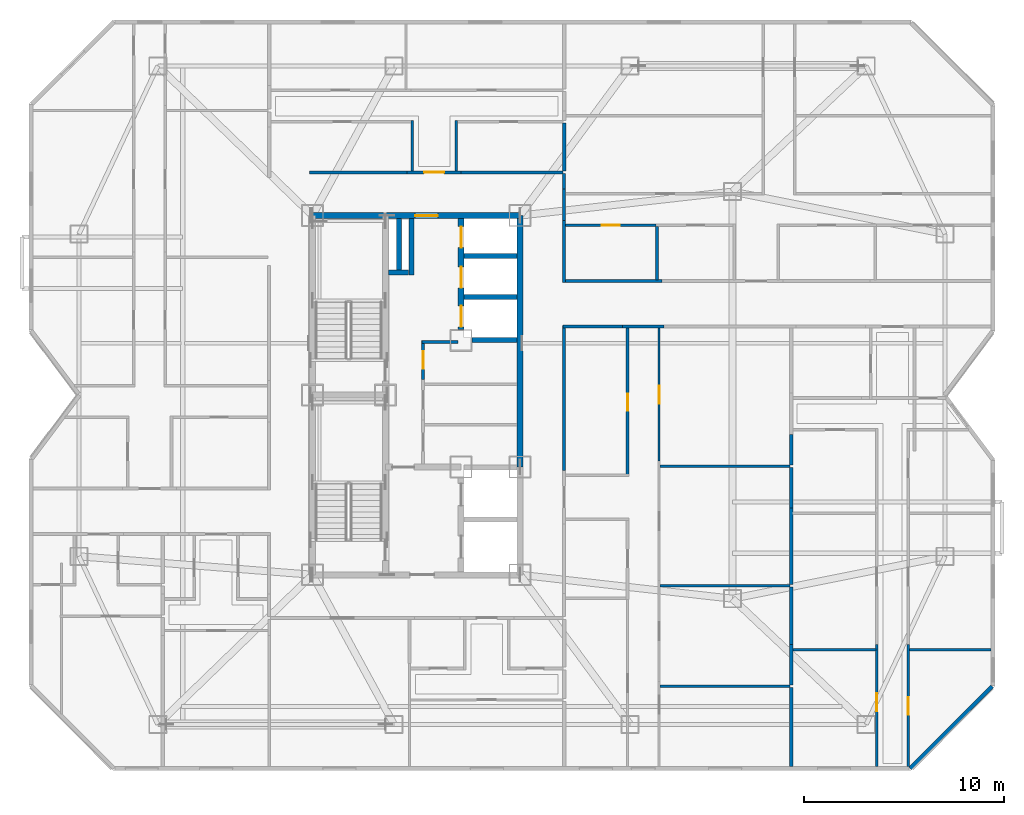
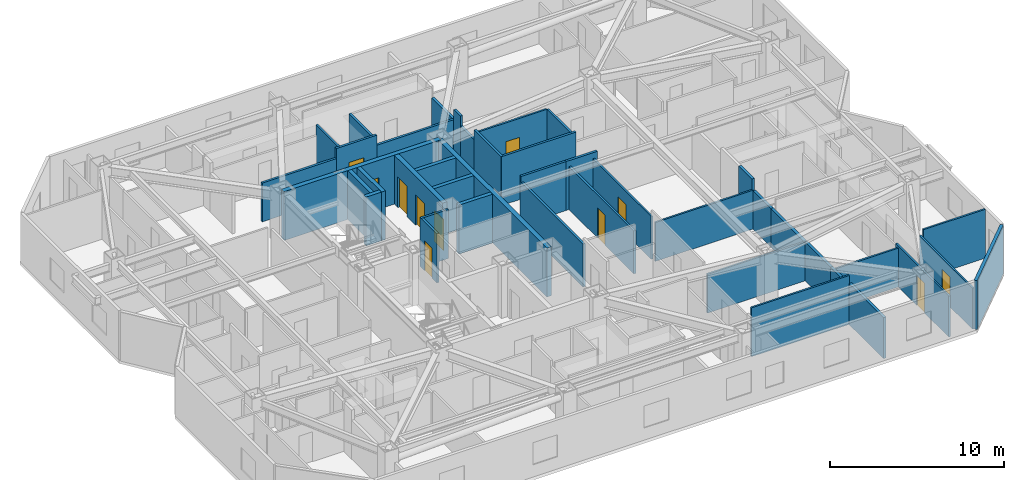
# One storey, part 8 of 13: 42 walls, 11 doors, 11 openings.
"""IFC4 building model written with IfcOpenShell, lengths in metres."""

from ifc_helpers import new_model, si_unit, direction, frame, frame_2d, origin, place, context, subcontext, project, spatial, rectangle, extrude, material, layer, layer_set, type_object, element, fill, save


model = new_model("IFC4")

# Units and contexts
model_context = context("Model", 3, precision=1e-05, world=origin(), true_north=direction((0.0, 1.0)))
body_context = subcontext(model_context, "Body", "Model", "MODEL_VIEW")
ifc_project = project(units=[si_unit("LENGTHUNIT", "METRE"), si_unit("AREAUNIT", "SQUARE_METRE"), si_unit("VOLUMEUNIT", "CUBIC_METRE"), si_unit("PLANEANGLEUNIT", "RADIAN"), si_unit("MASSUNIT", "GRAM", prefix="KILO")], contexts=[model_context])

# Site, building, storey
site_placement = place(None, origin())
site = spatial("IfcSite", under=ifc_project, at=site_placement, CompositionType="ELEMENT")
building_placement = place(site_placement, origin())
building = spatial("IfcBuilding", under=site, at=building_placement, Name="Khamvora Tower", CompositionType="ELEMENT")
storey_placement = place(building_placement, frame((0.0, 0.0, 166.85009765625)))
storey = spatial("IfcBuildingStorey", under=building, at=storey_placement, Name="L42", CompositionType="ELEMENT", Elevation=166.85009765625)

# Wall, opening, door
ifc_material_1 = material(Name="Concrete C50/60", Category="concrete")
ifc_layer_1 = layer(ifc_material_1, 0.300048828125)
ifc_layer_set_1 = layer_set([ifc_layer_1], Name="Concrete C50/60")
wall_type_1 = type_object("IfcWallType", Name="WAL-CORE-300", PredefinedType="SHEAR", material=ifc_layer_set_1)
wall_1_placement = place(storey_placement, frame((29.0, 37.0, 0.0), z_axis=(0.0, 0.0, 1.0), x_axis=(1.0, 0.0, 0.0)))
wall_1 = element("IfcWall", 1, at=wall_1_placement, inside=storey, type_object=wall_type_1, Name="L42 central core north wall", PredefinedType="SHEAR", context=body_context, shape_type="SweptSolid", body=[
    extrude(rectangle(XDim=10.39990234375, YDim=0.300048828125, at=frame_2d((5.199951171875, 0.0))), origin(), (0.0, 0.0, 1.0), 3.429931640625),
])
opening_1_placement = place(wall_1_placement, frame((5.139892578125, 0.0, 0.0)))
opening_1 = element("IfcOpeningElement", 2, at=opening_1_placement, cuts=wall_1, Name="Opening D-SC1", PredefinedType="OPENING", context=body_context, shape_type="SweptSolid", body=[
    extrude(rectangle(XDim=1.14990234375, YDim=2.199951171875, at=frame_2d((0.574951171875, 1.10009765625))), frame((0.0, 0.159912109375, 0.0), z_axis=(0.0, -1.0, 0.0), x_axis=(1.0, 0.0, 0.0)), (0.0, 0.0, 1.0), 0.320068359375),
])
ifc_material_2 = material(Name="Powder-Coated Steel and Hardwood Leaf", Category="steel")
door_type_1 = type_object("IfcDoorType", Name="DOR-SCHL-1150", OperationType="NOTDEFINED", PredefinedType="DOOR", material=ifc_material_2)
door_1_placement = place(opening_1_placement, origin())
door_1 = element("IfcDoor", 3, at=door_1_placement, inside=storey, type_object=door_type_1, Name="L42 north core lobby to corridor fire door", OperationType="SINGLE_SWING_LEFT", OverallHeight=2.199951171875, OverallWidth=1.14990234375, PredefinedType="DOOR", context=body_context, shape_type="SweptSolid", body=[
    extrude(rectangle(XDim=1.14990234375, YDim=2.199951171875, at=frame_2d((0.574951171875, 1.10009765625))), frame((0.0, 0.02490234375, 0.0), z_axis=(0.0, -1.0, 0.0), x_axis=(1.0, 0.0, 0.0)), (0.0, 0.0, 1.0), 0.050048828125),
])
fill(opening_1, door_1)

# Wall
wall_2_placement = place(storey_placement, frame((39.39990234375, 24.39990234375, 0.0), z_axis=(0.0, 0.0, 1.0), x_axis=(0.0, 1.0, 0.0)))
element("IfcWall", 4, at=wall_2_placement, inside=storey, type_object=wall_type_1, Name="L42 central core east north wall", PredefinedType="SHEAR", context=body_context, shape_type="SweptSolid", body=[
    extrude(rectangle(XDim=12.60009765625, YDim=0.300048828125, at=frame_2d((6.300048828125, 0.0))), origin(), (0.0, 0.0, 1.0), 3.429931640625),
])

# Wall, openings, doors
wall_3_placement = place(storey_placement, frame((36.449951171875, 31.300048828125, 0.0), z_axis=(0.0, 0.0, 1.0), x_axis=(0.0, 1.0, 0.0)))
wall_3 = element("IfcWall", 5, at=wall_3_placement, inside=storey, type_object=wall_type_1, Name="L42 central core lift bank central wall", PredefinedType="SHEAR", context=body_context, shape_type="SweptSolid", body=[
    extrude(rectangle(XDim=5.5458984375, YDim=0.300048828125, at=frame_2d((2.77294921875, 0.0))), origin(), (0.0, 0.0, 1.0), 3.429931640625),
])
opening_2_placement = place(wall_3_placement, frame((0.1201171875, 0.0, 0.0)))
opening_2 = element("IfcOpeningElement", 6, at=opening_2_placement, cuts=wall_3, Name="Opening LD-PL", PredefinedType="OPENING", context=body_context, shape_type="SweptSolid", body=[
    extrude(rectangle(XDim=1.050048828125, YDim=2.14990234375, at=frame_2d((0.52490234375, 1.074951171875))), frame((0.0, 0.159912109375, 0.0), z_axis=(0.0, -1.0, 0.0), x_axis=(1.0, 0.0, 0.0)), (0.0, 0.0, 1.0), 0.320068359375),
])
opening_3_placement = place(wall_3_placement, frame((2.074951171875, 0.0, 0.0)))
opening_3 = element("IfcOpeningElement", 7, at=opening_3_placement, cuts=wall_3, Name="Opening LD-PL", PredefinedType="OPENING", context=body_context, shape_type="SweptSolid", body=[
    extrude(rectangle(XDim=1.050048828125, YDim=2.14990234375, at=frame_2d((0.52490234375, 1.074951171875))), frame((0.0, 0.159912109375, 0.0), z_axis=(0.0, -1.0, 0.0), x_axis=(1.0, 0.0, 0.0)), (0.0, 0.0, 1.0), 0.320068359375),
])
opening_4_placement = place(wall_3_placement, frame((4.094970703125, 0.0, 0.0)))
opening_4 = element("IfcOpeningElement", 8, at=opening_4_placement, cuts=wall_3, Name="Opening LD-PL", PredefinedType="OPENING", context=body_context, shape_type="SweptSolid", body=[
    extrude(rectangle(XDim=1.050048828125, YDim=2.14990234375, at=frame_2d((0.52490234375, 1.074951171875))), frame((0.0, 0.159912109375, 0.0), z_axis=(0.0, -1.0, 0.0), x_axis=(1.0, 0.0, 0.0)), (0.0, 0.0, 1.0), 0.320068359375),
])
door_type_2 = type_object("IfcDoorType", Name="DOR-LIFT-1050", OperationType="SLIDING_TO_LEFT", PredefinedType="DOOR", material=ifc_material_2)
door_2_placement = place(opening_2_placement, origin())
door_2 = element("IfcDoor", 9, at=door_2_placement, inside=storey, type_object=door_type_2, Name="L42 lift landing sliding door PH-01", OperationType="SLIDING_TO_LEFT", OverallHeight=2.14990234375, OverallWidth=1.050048828125, PredefinedType="DOOR", context=body_context, shape_type="SweptSolid", body=[
    extrude(rectangle(XDim=1.050048828125, YDim=2.14990234375, at=frame_2d((0.52490234375, 1.074951171875))), frame((0.0, 0.02490234375, 0.0), z_axis=(0.0, -1.0, 0.0), x_axis=(1.0, 0.0, 0.0)), (0.0, 0.0, 1.0), 0.050048828125),
])
fill(opening_2, door_2)
door_3_placement = place(opening_3_placement, origin())
door_3 = element("IfcDoor", 10, at=door_3_placement, inside=storey, type_object=door_type_2, Name="L42 lift landing sliding door PH-02", OperationType="SLIDING_TO_LEFT", OverallHeight=2.14990234375, OverallWidth=1.050048828125, PredefinedType="DOOR", context=body_context, shape_type="SweptSolid", body=[
    extrude(rectangle(XDim=1.050048828125, YDim=2.14990234375, at=frame_2d((0.52490234375, 1.074951171875))), frame((0.0, 0.02490234375, 0.0), z_axis=(0.0, -1.0, 0.0), x_axis=(1.0, 0.0, 0.0)), (0.0, 0.0, 1.0), 0.050048828125),
])
fill(opening_3, door_3)
door_4_placement = place(opening_4_placement, origin())
door_4 = element("IfcDoor", 11, at=door_4_placement, inside=storey, type_object=door_type_2, Name="L42 lift landing sliding door PH-03", OperationType="SLIDING_TO_LEFT", OverallHeight=2.14990234375, OverallWidth=1.050048828125, PredefinedType="DOOR", context=body_context, shape_type="SweptSolid", body=[
    extrude(rectangle(XDim=1.050048828125, YDim=2.14990234375, at=frame_2d((0.52490234375, 1.074951171875))), frame((0.0, 0.02490234375, 0.0), z_axis=(0.0, -1.0, 0.0), x_axis=(1.0, 0.0, 0.0)), (0.0, 0.0, 1.0), 0.050048828125),
])
fill(opening_4, door_4)

# Wall
ifc_material_3 = material(Name="Fire-Rated Drywall and Steel Stud", Category="steel")
ifc_layer_2 = layer(ifc_material_3, 0.14990234375)
ifc_layer_set_2 = layer_set([ifc_layer_2], Name="Fire-Rated Drywall and Steel Stud")
wall_type_2 = type_object("IfcWallType", Name="WAL-CORR-150", PredefinedType="STANDARD", material=ifc_layer_set_2)
wall_4_placement = place(storey_placement, frame((36.300048828125, 30.6650390625, 0.0), z_axis=(0.0, 0.0, 1.0), x_axis=(-1.0, 0.0, 0.0)))
element("IfcWall", 12, at=wall_4_placement, inside=storey, type_object=wall_type_2, Name="L42 interior partition wall 003", PredefinedType="STANDARD", context=body_context, shape_type="SweptSolid", body=[
    extrude(rectangle(XDim=1.820068359375, YDim=0.14990234375, at=frame_2d((0.91015625, 0.0))), origin(), (0.0, 0.0, 1.0), 3.429931640625),
])

# Wall, opening, door
wall_5_placement = place(storey_placement, frame((34.544921875, 30.72998046875, 0.0), z_axis=(0.0, 0.0, 1.0), x_axis=(0.0, -1.0, 0.0)))
wall_5 = element("IfcWall", 13, at=wall_5_placement, inside=storey, type_object=wall_type_2, Name="L42 interior partition wall 004", PredefinedType="STANDARD", context=body_context, shape_type="SweptSolid", body=[
    extrude(rectangle(XDim=1.93603515625, YDim=0.14990234375, at=frame_2d((0.968017578125, 0.0))), origin(), (0.0, 0.0, 1.0), 3.429931640625),
])
opening_5_placement = place(wall_5_placement, frame((0.51806640625, 0.0, 0.0)))
opening_5 = element("IfcOpeningElement", 14, at=opening_5_placement, cuts=wall_5, Name="Opening D-RM1", PredefinedType="OPENING", context=body_context, shape_type="SweptSolid", body=[
    extrude(rectangle(XDim=0.89990234375, YDim=2.10009765625, at=frame_2d((0.449951171875, 1.050048828125))), frame((0.0, 0.0849609375, 0.0), z_axis=(0.0, -1.0, 0.0), x_axis=(1.0, 0.0, 0.0)), (0.0, 0.0, 1.0), 0.169921875),
])
door_type_3 = type_object("IfcDoorType", Name="DOR-ROOM-900", OperationType="NOTDEFINED", PredefinedType="DOOR", material=ifc_material_2)
door_5_placement = place(opening_5_placement, origin())
door_5 = element("IfcDoor", 15, at=door_5_placement, inside=storey, type_object=door_type_3, Name="L42 interior door PHL-CS3", OperationType="SINGLE_SWING_RIGHT", OverallHeight=2.10009765625, OverallWidth=0.89990234375, PredefinedType="DOOR", context=body_context, shape_type="SweptSolid", body=[
    extrude(rectangle(XDim=0.89990234375, YDim=2.10009765625, at=frame_2d((0.449951171875, 1.050048828125))), frame((0.0, 0.02490234375, 0.0), z_axis=(0.0, -1.0, 0.0), x_axis=(1.0, 0.0, 0.0)), (0.0, 0.0, 1.0), 0.050048828125),
])
fill(opening_5, door_5)

wall_6_placement = place(storey_placement, frame((33.75, 39.1650390625, 0.0), z_axis=(0.0, 0.0, 1.0), x_axis=(1.0, 0.0, 0.0)))
wall_6 = element("IfcWall", 16, at=wall_6_placement, inside=storey, type_object=wall_type_2, Name="L42 interior partition wall 024", PredefinedType="STANDARD", context=body_context, shape_type="SweptSolid", body=[
    extrude(rectangle(XDim=2.697998046875, YDim=0.14990234375, at=frame_2d((1.34912109375, 0.0))), origin(), (0.0, 0.0, 1.0), 3.429931640625),
])
opening_6_placement = place(wall_6_placement, frame((0.84912109375, 0.0, 0.0)))
opening_6 = element("IfcOpeningElement", 17, at=opening_6_placement, cuts=wall_6, Name="Opening D-U1", PredefinedType="OPENING", context=body_context, shape_type="SweptSolid", body=[
    extrude(rectangle(XDim=1.0, YDim=2.14990234375, at=frame_2d((0.5, 1.074951171875))), frame((0.0, 0.0849609375, 0.0), z_axis=(0.0, -1.0, 0.0), x_axis=(1.0, 0.0, 0.0)), (0.0, 0.0, 1.0), 0.169921875),
])
door_type_4 = type_object("IfcDoorType", Name="DOR-UNIT-1000", OperationType="NOTDEFINED", PredefinedType="DOOR", material=ifc_material_2)
door_6_placement = place(opening_6_placement, origin())
door_6 = element("IfcDoor", 18, at=door_6_placement, inside=storey, type_object=door_type_4, Name="L42 interior door COR-42NAH", OperationType="SINGLE_SWING_LEFT", OverallHeight=2.14990234375, OverallWidth=1.0, PredefinedType="DOOR", context=body_context, shape_type="SweptSolid", body=[
    extrude(rectangle(XDim=1.0, YDim=2.14990234375, at=frame_2d((0.5, 1.074951171875))), frame((0.0, 0.02490234375, 0.0), z_axis=(0.0, -1.0, 0.0), x_axis=(1.0, 0.0, 0.0)), (0.0, 0.0, 1.0), 0.050048828125),
])
fill(opening_6, door_6)

# Walls
wall_7_placement = place(storey_placement, frame((36.447998046875, 39.1650390625, 0.0), z_axis=(0.0, 0.0, 1.0), x_axis=(1.0, 0.0, 0.0)))
element("IfcWall", 19, at=wall_7_placement, inside=storey, type_object=wall_type_2, Name="L42 interior partition wall 025", PredefinedType="STANDARD", context=body_context, shape_type="SweptSolid", body=[
    extrude(rectangle(XDim=5.10205078125, YDim=0.14990234375, at=frame_2d((2.551025390625, 0.0))), origin(), (0.0, 0.0, 1.0), 2.724853515625),
])
wall_8_placement = place(storey_placement, frame((28.85009765625, 39.1650390625, 0.0), z_axis=(0.0, 0.0, 1.0), x_axis=(1.0, 0.0, 0.0)))
element("IfcWall", 20, at=wall_8_placement, inside=storey, type_object=wall_type_2, Name="L42 interior partition wall 026", PredefinedType="STANDARD", context=body_context, shape_type="SweptSolid", body=[
    extrude(rectangle(XDim=4.89990234375, YDim=0.14990234375, at=frame_2d((2.449951171875, 0.0))), origin(), (0.0, 0.0, 1.0), 2.724853515625),
])
wall_9_placement = place(storey_placement, frame((46.616943359375, 31.43505859375, 0.0), z_axis=(0.0, 0.0, 1.0), x_axis=(-1.0, 0.0, 0.0)))
element("IfcWall", 21, at=wall_9_placement, inside=storey, type_object=wall_type_2, Name="L42 interior partition wall 028", PredefinedType="STANDARD", context=body_context, shape_type="SweptSolid", body=[
    extrude(rectangle(XDim=2.077880859375, YDim=0.14990234375, at=frame_2d((1.0390625, 0.0))), origin(), (0.0, 0.0, 1.0), 3.429931640625),
])
wall_10_placement = place(storey_placement, frame((44.5390625, 31.43505859375, 0.0), z_axis=(0.0, 0.0, 1.0), x_axis=(-1.0, 0.0, 0.0)))
element("IfcWall", 22, at=wall_10_placement, inside=storey, type_object=wall_type_2, Name="L42 interior partition wall 031", PredefinedType="STANDARD", context=body_context, shape_type="SweptSolid", body=[
    extrude(rectangle(XDim=2.989013671875, YDim=0.14990234375, at=frame_2d((1.49462890625, 0.0))), origin(), (0.0, 0.0, 1.0), 3.429931640625),
])
wall_11_placement = place(storey_placement, frame((41.614990234375, 31.5, 0.0), z_axis=(0.0, 0.0, 1.0), x_axis=(0.0, -1.0, 0.0)))
element("IfcWall", 23, at=wall_11_placement, inside=storey, type_object=wall_type_2, Name="L42 interior partition wall 032", PredefinedType="STANDARD", context=body_context, shape_type="SweptSolid", body=[
    extrude(rectangle(XDim=7.26708984375, YDim=0.14990234375, at=frame_2d((3.633544921875, 0.0))), origin(), (0.0, 0.0, 1.0), 3.012939453125),
])
wall_12_placement = place(storey_placement, frame((41.614990234375, 36.758056640625, 0.0), z_axis=(0.0, 0.0, 1.0), x_axis=(0.0, -1.0, 0.0)))
element("IfcWall", 24, at=wall_12_placement, inside=storey, type_object=wall_type_2, Name="L42 interior partition wall 037", PredefinedType="STANDARD", context=body_context, shape_type="SweptSolid", body=[
    extrude(rectangle(XDim=3.108154296875, YDim=0.14990234375, at=frame_2d((1.55419921875, 0.0))), origin(), (0.0, 0.0, 1.0), 3.429931640625),
])
wall_13_placement = place(storey_placement, frame((41.550048828125, 33.715087890625, 0.0), z_axis=(0.0, 0.0, 1.0), x_axis=(1.0, 0.0, 0.0)))
element("IfcWall", 25, at=wall_13_placement, inside=storey, type_object=wall_type_2, Name="L42 interior partition wall 038", PredefinedType="STANDARD", context=body_context, shape_type="SweptSolid", body=[
    extrude(rectangle(XDim=4.968994140625, YDim=0.14990234375, at=frame_2d((2.484375, 0.0))), origin(), (0.0, 0.0, 1.0), 3.429931640625),
])
wall_14_placement = place(storey_placement, frame((41.614990234375, 38.337890625, 0.0), z_axis=(0.0, 0.0, 1.0), x_axis=(0.0, -1.0, 0.0)))
element("IfcWall", 26, at=wall_14_placement, inside=storey, type_object=wall_type_2, Name="L42 interior partition wall 040", PredefinedType="STANDARD", context=body_context, shape_type="SweptSolid", body=[
    extrude(rectangle(XDim=1.579833984375, YDim=0.14990234375, at=frame_2d((0.7900390625, 0.0))), origin(), (0.0, 0.0, 1.0), 2.724853515625),
])
wall_15_placement = place(storey_placement, frame((41.614990234375, 39.10009765625, 0.0), z_axis=(0.0, 0.0, 1.0), x_axis=(0.0, -1.0, 0.0)))
element("IfcWall", 27, at=wall_15_placement, inside=storey, type_object=wall_type_2, Name="L42 interior partition wall 044", PredefinedType="STANDARD", context=body_context, shape_type="SweptSolid", body=[
    extrude(rectangle(XDim=0.76220703125, YDim=0.14990234375, at=frame_2d((0.381103515625, 0.0))), origin(), (0.0, 0.0, 1.0), 3.429931640625),
])
ifc_material_4 = material(Name="Acoustic Double-Stud Fire Wall", Category="gypsum")
ifc_layer_3 = layer(ifc_material_4, 0.179931640625)
ifc_layer_set_3 = layer_set([ifc_layer_3], Name="Acoustic Double-Stud Fire Wall")
wall_type_3 = type_object("IfcWallType", Name="WAL-CORR-180", PredefinedType="STANDARD", material=ifc_layer_set_3)
wall_16_placement = place(storey_placement, frame((41.614990234375, 41.6298828125, 0.0), z_axis=(0.0, 0.0, 1.0), x_axis=(0.0, -1.0, 0.0)))
element("IfcWall", 28, at=wall_16_placement, inside=storey, type_object=wall_type_3, Name="L42 interior partition wall 102", PredefinedType="STANDARD", context=body_context, shape_type="SweptSolid", body=[
    extrude(rectangle(XDim=2.39990234375, YDim=0.179931640625, at=frame_2d((1.199951171875, 0.0))), origin(), (0.0, 0.0, 1.0), 2.724853515625),
])
wall_17_placement = place(storey_placement, frame((52.985107421875, 13.344970703125, 0.0), z_axis=(0.0, 0.0, 1.0), x_axis=(0.0, -1.0, 0.0)))
element("IfcWall", 29, at=wall_17_placement, inside=storey, type_object=wall_type_3, Name="L42 interior partition wall 116", PredefinedType="STANDARD", context=body_context, shape_type="SweptSolid", body=[
    extrude(rectangle(XDim=3.952880859375, YDim=0.179931640625, at=frame_2d((1.9765625, 0.0))), origin(), (0.0, 0.0, 1.0), 2.8759765625),
])
wall_18_placement = place(storey_placement, frame((52.985107421875, 15.4951171875, 0.0), z_axis=(0.0, 0.0, 1.0), x_axis=(0.0, -1.0, 0.0)))
element("IfcWall", 30, at=wall_18_placement, inside=storey, type_object=wall_type_3, Name="L42 interior partition wall 118", PredefinedType="STANDARD", context=body_context, shape_type="SweptSolid", body=[
    extrude(rectangle(XDim=2.02001953125, YDim=0.179931640625, at=frame_2d((1.010009765625, 0.0))), origin(), (0.0, 0.0, 1.0), 2.724853515625),
])
wall_19_placement = place(storey_placement, frame((52.985107421875, 18.388916015625, 0.0), z_axis=(0.0, 0.0, 1.0), x_axis=(0.0, -1.0, 0.0)))
element("IfcWall", 31, at=wall_19_placement, inside=storey, type_object=wall_type_3, Name="L42 interior partition wall 119", PredefinedType="STANDARD", context=body_context, shape_type="SweptSolid", body=[
    extrude(rectangle(XDim=2.893798828125, YDim=0.179931640625, at=frame_2d((1.44677734375, 0.0))), origin(), (0.0, 0.0, 1.0), 2.724853515625),
])
wall_20_placement = place(storey_placement, frame((52.985107421875, 22.3369140625, 0.0), z_axis=(0.0, 0.0, 1.0), x_axis=(0.0, -1.0, 0.0)))
element("IfcWall", 32, at=wall_20_placement, inside=storey, type_object=wall_type_3, Name="L42 interior partition wall 121", PredefinedType="STANDARD", context=body_context, shape_type="SweptSolid", body=[
    extrude(rectangle(XDim=3.81787109375, YDim=0.179931640625, at=frame_2d((1.908935546875, 0.0))), origin(), (0.0, 0.0, 1.0), 2.68701171875),
])
wall_21_placement = place(storey_placement, frame((52.985107421875, 24.375, 0.0), z_axis=(0.0, 0.0, 1.0), x_axis=(0.0, -1.0, 0.0)))
element("IfcWall", 33, at=wall_21_placement, inside=storey, type_object=wall_type_3, Name="L42 interior partition wall 122", PredefinedType="STANDARD", context=body_context, shape_type="SweptSolid", body=[
    extrude(rectangle(XDim=2.0380859375, YDim=0.179931640625, at=frame_2d((1.01904296875, 0.0))), origin(), (0.0, 0.0, 1.0), 2.68701171875),
])
wall_22_placement = place(storey_placement, frame((52.985107421875, 26.02587890625, 0.0), z_axis=(0.0, 0.0, 1.0), x_axis=(0.0, -1.0, 0.0)))
element("IfcWall", 34, at=wall_22_placement, inside=storey, type_object=wall_type_3, Name="L42 interior partition wall 125", PredefinedType="STANDARD", context=body_context, shape_type="SweptSolid", body=[
    extrude(rectangle(XDim=1.52099609375, YDim=0.179931640625, at=frame_2d((0.760498046875, 0.0))), origin(), (0.0, 0.0, 1.0), 3.429931640625),
])
ifc_material_5 = material(Name="Precast concrete C40/50", Category="concrete")
ifc_layer_4 = layer(ifc_material_5, 0.199951171875)
ifc_layer_set_4 = layer_set([ifc_layer_4], Name="Precast concrete C40/50")
wall_type_4 = type_object("IfcWallType", Name="WAL-EXT-200", PredefinedType="STANDARD", material=ifc_layer_set_4)
wall_23_placement = place(storey_placement, frame((63.056884765625, 13.39794921875, 0.0), z_axis=(0.0, 0.0, 1.0), x_axis=(-0.707106781187, -0.707106781187, 0.0)))
element("IfcWall", 35, at=wall_23_placement, inside=storey, type_object=wall_type_4, Name="L42 exterior facade wall 13.1", PredefinedType="STANDARD", context=body_context, shape_type="SweptSolid", body=[
    extrude(rectangle(XDim=5.79541015625, YDim=0.199951171875, at=frame_2d((2.897705078125, 0.0))), origin(), (0.0, 0.0, 1.0), 3.429931640625),
])

# Wall, opening, door
ifc_material_6 = material(Name="Gypsum Plasterboard Partition", Category="gypsum")
ifc_layer_5 = layer(ifc_material_6, 0.1201171875)
ifc_layer_set_5 = layer_set([ifc_layer_5], Name="Gypsum Plasterboard Partition")
wall_type_5 = type_object("IfcWallType", Name="WAL-PART-120", PredefinedType="PARTITIONING", material=ifc_layer_set_5)
wall_24_placement = place(storey_placement, frame((46.367919921875, 31.367919921875, 0.0), z_axis=(0.0, 0.0, 1.0), x_axis=(0.0, -1.0, 0.0)))
wall_24 = element("IfcWall", 36, at=wall_24_placement, inside=storey, type_object=wall_type_5, Name="L42 interior partition wall 114", PredefinedType="PARTITIONING", context=body_context, shape_type="SweptSolid", body=[
    extrude(rectangle(XDim=6.677978515625, YDim=0.1201171875, at=frame_2d((3.3388671875, 0.0))), origin(), (0.0, 0.0, 1.0), 3.012939453125),
])
opening_7_placement = place(wall_24_placement, frame((2.888916015625, 0.0, 0.0)))
opening_7 = element("IfcOpeningElement", 37, at=opening_7_placement, cuts=wall_24, Name="Opening D-RM1", PredefinedType="OPENING", context=body_context, shape_type="SweptSolid", body=[
    extrude(rectangle(XDim=0.89990234375, YDim=2.10009765625, at=frame_2d((0.449951171875, 1.050048828125))), frame((0.0, 0.070068359375, 0.0), z_axis=(0.0, -1.0, 0.0), x_axis=(1.0, 0.0, 0.0)), (0.0, 0.0, 1.0), 0.14013671875),
])
door_7_placement = place(opening_7_placement, origin())
door_7 = element("IfcDoor", 38, at=door_7_placement, inside=storey, type_object=door_type_3, Name="L42 interior door 42EAH-42EAR4", OperationType="SINGLE_SWING_RIGHT", OverallHeight=2.10009765625, OverallWidth=0.89990234375, PredefinedType="DOOR", context=body_context, shape_type="SweptSolid", body=[
    extrude(rectangle(XDim=0.89990234375, YDim=2.10009765625, at=frame_2d((0.449951171875, 1.050048828125))), frame((0.0, 0.02490234375, 0.0), z_axis=(0.0, -1.0, 0.0), x_axis=(1.0, 0.0, 0.0)), (0.0, 0.0, 1.0), 0.050048828125),
])
fill(opening_7, door_7)

# Walls
wall_25_placement = place(storey_placement, frame((46.422119140625, 13.409912109375, 0.0), z_axis=(0.0, 0.0, 1.0), x_axis=(1.0, 0.0, 0.0)))
element("IfcWall", 39, at=wall_25_placement, inside=storey, type_object=wall_type_5, Name="L42 interior partition wall 115", PredefinedType="PARTITIONING", context=body_context, shape_type="SweptSolid", body=[
    extrude(rectangle(XDim=6.497802734375, YDim=0.1201171875, at=frame_2d((3.2490234375, 0.0))), origin(), (0.0, 0.0, 1.0), 3.429931640625),
])
for number, where, z_axis, x_axis, name in (
    (40, (46.422119140625, 18.4541015625, 0.0), (0.0, 0.0, 1.0), (1.0, 0.0, 0.0), "L42 interior partition wall 117"),
    (41, (46.422119140625, 24.43994140625, 0.0), (0.0, 0.0, 1.0), (1.0, 0.0, 0.0), "L42 interior partition wall 120"),
):
    element("IfcWall", number, at=place(storey_placement, frame(where, z_axis=z_axis, x_axis=x_axis)), inside=storey, type_object=wall_type_5, Name=name, PredefinedType="PARTITIONING", context=body_context, shape_type="SweptSolid", body=[
        extrude(rectangle(XDim=6.497802734375, YDim=0.1201171875, at=frame_2d((3.2490234375, 0.0))), origin(), (0.0, 0.0, 1.0), 2.724853515625),
    ])

# Wall, opening, door
wall_26_placement = place(storey_placement, frame((57.284912109375, 9.39208984375, 0.0), z_axis=(0.0, 0.0, 1.0), x_axis=(0.0, 1.0, 0.0)))
wall_26 = element("IfcWall", 42, at=wall_26_placement, inside=storey, type_object=wall_type_5, Name="L42 interior partition wall 130", PredefinedType="PARTITIONING", context=body_context, shape_type="SweptSolid", body=[
    extrude(rectangle(XDim=6.10302734375, YDim=0.1201171875, at=frame_2d((3.051513671875, 0.0))), origin(), (0.0, 0.0, 1.0), 2.8759765625),
])
opening_8_placement = place(wall_26_placement, frame((2.77392578125, 0.0, 0.0)))
opening_8 = element("IfcOpeningElement", 43, at=opening_8_placement, cuts=wall_26, Name="Opening D-RM1", PredefinedType="OPENING", context=body_context, shape_type="SweptSolid", body=[
    extrude(rectangle(XDim=0.89990234375, YDim=2.10009765625, at=frame_2d((0.449951171875, 1.050048828125))), frame((0.0, 0.070068359375, 0.0), z_axis=(0.0, -1.0, 0.0), x_axis=(1.0, 0.0, 0.0)), (0.0, 0.0, 1.0), 0.14013671875),
])
door_8_placement = place(opening_8_placement, origin())
door_8 = element("IfcDoor", 44, at=door_8_placement, inside=storey, type_object=door_type_3, Name="L42 interior door 42EBH-42EBL", OperationType="SINGLE_SWING_RIGHT", OverallHeight=2.10009765625, OverallWidth=0.89990234375, PredefinedType="DOOR", context=body_context, shape_type="SweptSolid", body=[
    extrude(rectangle(XDim=0.89990234375, YDim=2.10009765625, at=frame_2d((0.449951171875, 1.050048828125))), frame((0.0, 0.02490234375, 0.0), z_axis=(0.0, -1.0, 0.0), x_axis=(1.0, 0.0, 0.0)), (0.0, 0.0, 1.0), 0.050048828125),
])
fill(opening_8, door_8)

wall_27_placement = place(storey_placement, frame((58.85498046875, 15.4951171875, 0.0), z_axis=(0.0, 0.0, 1.0), x_axis=(0.0, -1.0, 0.0)))
wall_27 = element("IfcWall", 45, at=wall_27_placement, inside=storey, type_object=wall_type_5, Name="L42 interior partition wall 134", PredefinedType="PARTITIONING", context=body_context, shape_type="SweptSolid", body=[
    extrude(rectangle(XDim=6.10302734375, YDim=0.1201171875, at=frame_2d((3.051513671875, 0.0))), origin(), (0.0, 0.0, 1.0), 2.8759765625),
])
opening_9_placement = place(wall_27_placement, frame((2.6220703125, 0.0, 0.0)))
opening_9 = element("IfcOpeningElement", 46, at=opening_9_placement, cuts=wall_27, Name="Opening D-RM1", PredefinedType="OPENING", context=body_context, shape_type="SweptSolid", body=[
    extrude(rectangle(XDim=0.89990234375, YDim=2.10009765625, at=frame_2d((0.449951171875, 1.050048828125))), frame((0.0, 0.070068359375, 0.0), z_axis=(0.0, -1.0, 0.0), x_axis=(1.0, 0.0, 0.0)), (0.0, 0.0, 1.0), 0.14013671875),
])
door_9_placement = place(opening_9_placement, origin())
door_9 = element("IfcDoor", 47, at=door_9_placement, inside=storey, type_object=door_type_3, Name="L42 interior door 42EBH-42EBR4", OperationType="SINGLE_SWING_RIGHT", OverallHeight=2.10009765625, OverallWidth=0.89990234375, PredefinedType="DOOR", context=body_context, shape_type="SweptSolid", body=[
    extrude(rectangle(XDim=0.89990234375, YDim=2.10009765625, at=frame_2d((0.449951171875, 1.050048828125))), frame((0.0, 0.02490234375, 0.0), z_axis=(0.0, -1.0, 0.0), x_axis=(1.0, 0.0, 0.0)), (0.0, 0.0, 1.0), 0.050048828125),
])
fill(opening_9, door_9)

# Walls
wall_28_placement = place(storey_placement, frame((53.06689453125, 15.24609375, 0.0), z_axis=(0.0, 0.0, 1.0), x_axis=(1.0, 0.0, 0.0)))
element("IfcWall", 48, at=wall_28_placement, inside=storey, type_object=wall_type_5, Name="L42 interior partition wall 138", PredefinedType="PARTITIONING", context=body_context, shape_type="SweptSolid", body=[
    extrude(rectangle(XDim=4.1640625, YDim=0.1201171875, at=frame_2d((2.08203125, 0.0))), origin(), (0.0, 0.0, 1.0), 2.724853515625),
])
wall_29_placement = place(storey_placement, frame((58.908935546875, 15.24609375, 0.0), z_axis=(0.0, 0.0, 1.0), x_axis=(1.0, 0.0, 0.0)))
element("IfcWall", 49, at=wall_29_placement, inside=storey, type_object=wall_type_5, Name="L42 interior partition wall 140", PredefinedType="PARTITIONING", context=body_context, shape_type="SweptSolid", body=[
    extrude(rectangle(XDim=4.09912109375, YDim=0.1201171875, at=frame_2d((2.049560546875, 0.0))), origin(), (0.0, 0.0, 1.0), 3.429931640625),
])

# Wall, opening, door
wall_30_placement = place(storey_placement, frame((41.681884765625, 36.509033203125, 0.0), z_axis=(0.0, 0.0, 1.0), x_axis=(1.0, 0.0, 0.0)))
wall_30 = element("IfcWall", 50, at=wall_30_placement, inside=storey, type_object=wall_type_5, Name="L42 interior partition wall 142", PredefinedType="PARTITIONING", context=body_context, shape_type="SweptSolid", body=[
    extrude(rectangle(XDim=4.523193359375, YDim=0.1201171875, at=frame_2d((2.26171875, 0.0))), origin(), (0.0, 0.0, 1.0), 3.429931640625),
])
opening_10_placement = place(wall_30_placement, frame((1.81103515625, 0.0, 0.0)))
opening_10 = element("IfcOpeningElement", 51, at=opening_10_placement, cuts=wall_30, Name="Opening D-RM1", PredefinedType="OPENING", context=body_context, shape_type="SweptSolid", body=[
    extrude(rectangle(XDim=0.89990234375, YDim=2.10009765625, at=frame_2d((0.449951171875, 1.050048828125))), frame((0.0, 0.070068359375, 0.0), z_axis=(0.0, -1.0, 0.0), x_axis=(1.0, 0.0, 0.0)), (0.0, 0.0, 1.0), 0.14013671875),
])
door_10_placement = place(opening_10_placement, origin())
door_10 = element("IfcDoor", 52, at=door_10_placement, inside=storey, type_object=door_type_3, Name="L42 interior door 42ECW1-42ECH", OperationType="SINGLE_SWING_LEFT", OverallHeight=2.10009765625, OverallWidth=0.89990234375, PredefinedType="DOOR", context=body_context, shape_type="SweptSolid", body=[
    extrude(rectangle(XDim=0.89990234375, YDim=2.10009765625, at=frame_2d((0.449951171875, 1.050048828125))), frame((0.0, 0.02490234375, 0.0), z_axis=(0.0, -1.0, 0.0), x_axis=(1.0, 0.0, 0.0)), (0.0, 0.0, 1.0), 0.050048828125),
])
fill(opening_10, door_10)

# Walls
ifc_material_7 = material(Name="Concrete C40/50", Category="concrete")
ifc_layer_6 = layer(ifc_material_7, 0.25)
ifc_layer_set_6 = layer_set([ifc_layer_6], Name="Concrete C40/50")
wall_type_6 = type_object("IfcWallType", Name="WAL-PODS-250", PredefinedType="SHEAR", material=ifc_layer_set_6)
wall_31_placement = place(storey_placement, frame((37.00390625, 30.77490234375, 0.0), z_axis=(0.0, 0.0, 1.0), x_axis=(1.0, 0.0, 0.0)))
element("IfcWall", 53, at=wall_31_placement, inside=storey, type_object=wall_type_6, Name="L42 high-rise lift shaft south enclosure wall PH-01", PredefinedType="SHEAR", context=body_context, shape_type="SweptSolid", body=[
    extrude(rectangle(XDim=2.2421875, YDim=0.25, at=frame_2d((1.12109375, 0.0))), origin(), (0.0, 0.0, 1.0), 3.429931640625),
])
for number, where, z_axis, x_axis, name in (
    (54, (36.60400390625, 32.925048828125, 0.0), (0.0, 0.0, 1.0), (1.0, 0.0, 0.0), "L42 lift shaft divider wall PH-01"),
    (55, (36.60400390625, 34.97509765625, 0.0), (0.0, 0.0, 1.0), (1.0, 0.0, 0.0), "L42 lift shaft divider wall PH-02"),
):
    element("IfcWall", number, at=place(storey_placement, frame(where, z_axis=z_axis, x_axis=x_axis)), inside=storey, type_object=wall_type_6, Name=name, PredefinedType="SHEAR", context=body_context, shape_type="SweptSolid", body=[
        extrude(rectangle(XDim=2.64208984375, YDim=0.25, at=frame_2d((1.321044921875, 0.0))), origin(), (0.0, 0.0, 1.0), 3.429931640625),
    ])
wall_32_placement = place(storey_placement, frame((33.955078125, 34.02490234375, 0.0), z_axis=(0.0, 0.0, 1.0), x_axis=(0.0, 1.0, 0.0)))
element("IfcWall", 56, at=wall_32_placement, inside=storey, type_object=wall_type_6, Name="L42 vertical MEP riser shaft east enclosure wall", PredefinedType="SHEAR", context=body_context, shape_type="SweptSolid", body=[
    extrude(rectangle(XDim=2.821044921875, YDim=0.25, at=frame_2d((1.41064453125, 0.0))), origin(), (0.0, 0.0, 1.0), 3.429931640625),
])
wall_33_placement = place(storey_placement, frame((32.803955078125, 34.14990234375, 0.0), z_axis=(0.0, 0.0, 1.0), x_axis=(1.0, 0.0, 0.0)))
element("IfcWall", 57, at=wall_33_placement, inside=storey, type_object=wall_type_6, Name="L42 vertical MEP riser shaft south enclosure wall", PredefinedType="SHEAR", context=body_context, shape_type="SweptSolid", body=[
    extrude(rectangle(XDim=1.02197265625, YDim=0.25, at=frame_2d((0.510986328125, 0.0))), origin(), (0.0, 0.0, 1.0), 3.429931640625),
])
wall_34_placement = place(storey_placement, frame((33.340087890625, 34.279052734375, 0.0), z_axis=(0.0, 0.0, 1.0), x_axis=(0.0, 1.0, 0.0)))
element("IfcWall", 58, at=wall_34_placement, inside=storey, type_object=wall_type_6, Name="L42 vertical MEP riser shaft divider enclosure wall", PredefinedType="SHEAR", context=body_context, shape_type="SweptSolid", body=[
    extrude(rectangle(XDim=2.56689453125, YDim=0.25, at=frame_2d((1.283447265625, 0.0))), origin(), (0.0, 0.0, 1.0), 3.429931640625),
])
ifc_material_8 = material(Name="Moisture-Resistant Plasterboard Partition", Category="gypsum")
ifc_layer_7 = layer(ifc_material_8, 0.135009765625)
ifc_layer_set_7 = layer_set([ifc_layer_7], Name="Moisture-Resistant Plasterboard Partition")
wall_type_7 = type_object("IfcWallType", Name="WAL-WET-135", PredefinedType="PARTITIONING", material=ifc_layer_set_7)
for number, where, z_axis, x_axis, name in (
    (59, (36.198974609375, 41.760009765625, 0.0), (0.0, 0.0, 1.0), (0.0, -1.0, 0.0), "L42 interior partition wall 095"),
    (60, (33.9990234375, 39.23193359375, 0.0), (0.0, 0.0, 1.0), (0.0, 1.0, 0.0), "L42 interior partition wall 096"),
):
    element("IfcWall", number, at=place(storey_placement, frame(where, z_axis=z_axis, x_axis=x_axis)), inside=storey, type_object=wall_type_7, Name=name, PredefinedType="PARTITIONING", context=body_context, shape_type="SweptSolid", body=[
        extrude(rectangle(XDim=2.528076171875, YDim=0.135009765625, at=frame_2d((1.26416015625, 0.0))), origin(), (0.0, 0.0, 1.0), 3.429931640625),
    ])

# Wall, opening, door
wall_35_placement = place(storey_placement, frame((44.7880859375, 23.9189453125, 0.0), z_axis=(0.0, 0.0, 1.0), x_axis=(0.0, 1.0, 0.0)))
wall_35 = element("IfcWall", 61, at=wall_35_placement, inside=storey, type_object=wall_type_7, Name="L42 interior partition wall 110", PredefinedType="PARTITIONING", context=body_context, shape_type="SweptSolid", body=[
    extrude(rectangle(XDim=7.448974609375, YDim=0.135009765625, at=frame_2d((3.724609375, 0.0))), origin(), (0.0, 0.0, 1.0), 3.012939453125),
])
opening_11_placement = place(wall_35_placement, frame((3.300048828125, 0.0, 0.0)))
opening_11 = element("IfcOpeningElement", 62, at=opening_11_placement, cuts=wall_35, Name="Opening D-RM2", PredefinedType="OPENING", context=body_context, shape_type="SweptSolid", body=[
    extrude(rectangle(XDim=0.85009765625, YDim=2.10009765625, at=frame_2d((0.425048828125, 1.050048828125))), frame((0.0, 0.077392578125, 0.0), z_axis=(0.0, -1.0, 0.0), x_axis=(1.0, 0.0, 0.0)), (0.0, 0.0, 1.0), 0.155029296875),
])
door_type_5 = type_object("IfcDoorType", Name="DOR-ROOM-850", OperationType="NOTDEFINED", PredefinedType="DOOR", material=ifc_material_2)
door_11_placement = place(opening_11_placement, origin())
door_11 = element("IfcDoor", 63, at=door_11_placement, inside=storey, type_object=door_type_5, Name="L42 interior door 42EAH-42EAK", OperationType="SINGLE_SWING_LEFT", OverallHeight=2.10009765625, OverallWidth=0.85009765625, PredefinedType="DOOR", context=body_context, shape_type="SweptSolid", body=[
    extrude(rectangle(XDim=0.85009765625, YDim=2.10009765625, at=frame_2d((0.425048828125, 1.050048828125))), frame((0.0, 0.02490234375, 0.0), z_axis=(0.0, -1.0, 0.0), x_axis=(1.0, 0.0, 0.0)), (0.0, 0.0, 1.0), 0.050048828125),
])
fill(opening_11, door_11)

# Wall
wall_36_placement = place(storey_placement, frame((46.27001953125, 36.444091796875, 0.0), z_axis=(0.0, 0.0, 1.0), x_axis=(0.0, -1.0, 0.0)))
element("IfcWall", 64, at=wall_36_placement, inside=storey, type_object=wall_type_7, Name="L42 interior partition wall 143", PredefinedType="PARTITIONING", context=body_context, shape_type="SweptSolid", body=[
    extrude(rectangle(XDim=2.662109375, YDim=0.135009765625, at=frame_2d((1.3310546875, 0.0))), origin(), (0.0, 0.0, 1.0), 3.429931640625),
])

save(model, "model.ifc")
